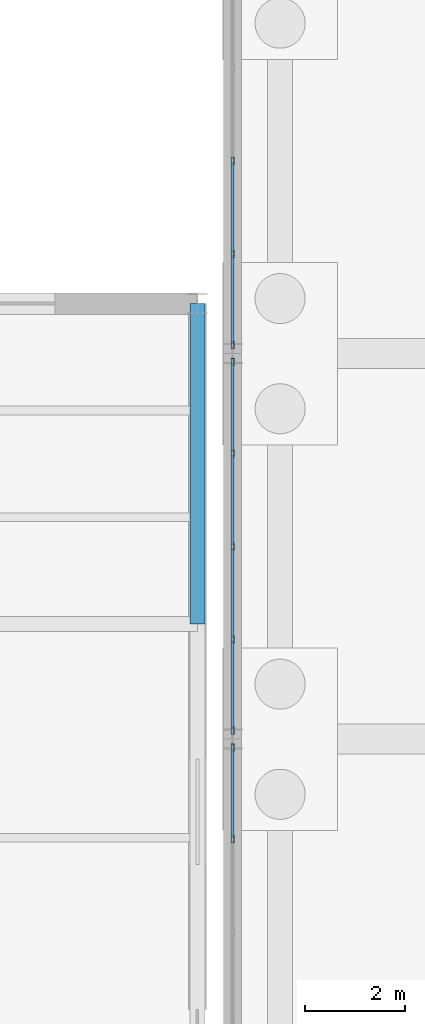
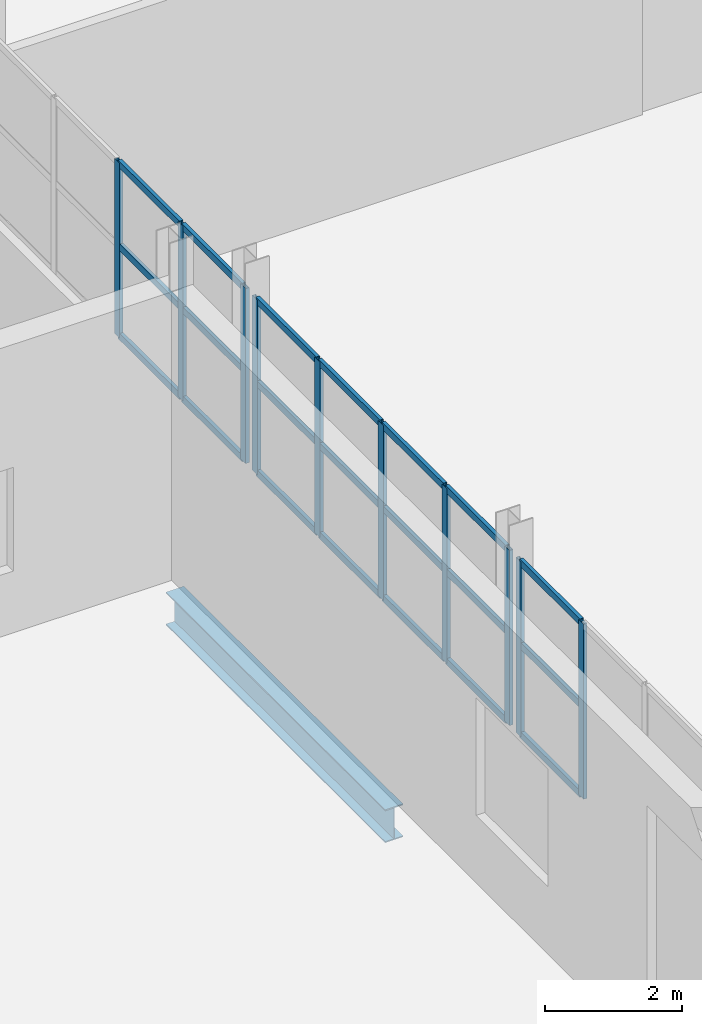
# One storey, part 80 of 139: 31 members, 1 beam, 3 elements without a shape of their own.
"""IFC4 building model written with IfcOpenShell, lengths in metres."""

from ifc_helpers import new_model, si_unit, direction, frame, origin, origin_2d, place, context, subcontext, project, spatial, hollow_rectangle, i_section, extrude, material, material_profile, profile_set, type_object, element, aggregate, save


model = new_model("IFC4")

# Units and contexts
model_context = context("Model", 3, precision=1e-05, world=origin(), true_north=direction((0.0, 1.0)))
body_context = subcontext(model_context, "Body", "Model", "MODEL_VIEW")
ifc_project = project(units=[si_unit("LENGTHUNIT", "METRE"), si_unit("AREAUNIT", "SQUARE_METRE"), si_unit("VOLUMEUNIT", "CUBIC_METRE"), si_unit("PLANEANGLEUNIT", "RADIAN"), si_unit("MASSUNIT", "GRAM", prefix="KILO")], contexts=[model_context])

# Site, building, storey
site_placement = place(None, origin())
site = spatial("IfcSite", under=ifc_project, at=site_placement, CompositionType="ELEMENT")
building_placement = place(site_placement, origin())
building = spatial("IfcBuilding", under=site, at=building_placement, Name="Kazenagashi Tramway Depot", CompositionType="ELEMENT")
storey_placement = place(building_placement, origin())
storey = spatial("IfcBuildingStorey", under=building, at=storey_placement, Name="L01", CompositionType="ELEMENT", Elevation=0.0)

# Curtain wall, members
ifc_material_1 = material(Name="Anodised Aluminium and Low-E Glazing", Category="aluminium")
curtain_wall_type = type_object("IfcCurtainWallType", Name="CW-30", PredefinedType="USERDEFINED", material=ifc_material_1)
curtain_wall_1_placement = place(storey_placement, origin())
curtain_wall_1 = element("IfcCurtainWall", 1, at=curtain_wall_1_placement, inside=storey, type_object=curtain_wall_type, Name="Industrial Glazed Screen CW-30 CW-0166", ObjectType="GLAZED SCREEN", PredefinedType="USERDEFINED")
ifc_material_2 = material(Name="Anodised Aluminium", Category="aluminium")
ifc_material_profile_1 = material_profile(ifc_material_2, hollow_rectangle(XDim=0.06, YDim=0.15, WallThickness=0.004, at=origin_2d()), Name="RHS-150x60x4")
ifc_profile_set_1 = profile_set([ifc_material_profile_1], Name="Anodised Aluminium")
member_type_1 = type_object("IfcMemberType", Name="ML-01", PredefinedType="MULLION", material=ifc_profile_set_1)
member_1_placement = place(storey_placement, frame((146.3, 44.205, 2.2), z_axis=(0.0, 0.0, 1.0), x_axis=(-1.0, 0.0, 0.0)))
member_1 = element("IfcMember", 2, at=member_1_placement, type_object=member_type_1, Name="CW-30 mullion 4", PredefinedType="MULLION", context=body_context, shape_type="SweptSolid", body=[
    extrude(hollow_rectangle(XDim=0.06, YDim=0.15, WallThickness=0.004, at=origin_2d()), origin(), (0.0, 0.0, 1.0), 3.12),
])
member_2_placement = place(storey_placement, frame((146.3, 46.03, 2.2), z_axis=(0.0, 0.0, 1.0), x_axis=(-1.0, 0.0, 0.0)))
member_2 = element("IfcMember", 3, at=member_2_placement, type_object=member_type_1, Name="CW-30 mullion 5", PredefinedType="MULLION", context=body_context, shape_type="SweptSolid", body=[
    extrude(hollow_rectangle(XDim=0.06, YDim=0.15, WallThickness=0.004, at=origin_2d()), origin(), (0.0, 0.0, 1.0), 3.12),
])

curtain_wall_2_placement = place(storey_placement, origin())
curtain_wall_2 = element("IfcCurtainWall", 4, at=curtain_wall_2_placement, inside=storey, type_object=curtain_wall_type, Name="Industrial Glazed Screen CW-30 CW-0168", ObjectType="GLAZED SCREEN", PredefinedType="USERDEFINED")
member_3_placement = place(storey_placement, frame((146.3, 46.37, 2.2), z_axis=(0.0, 0.0, 1.0), x_axis=(-1.0, 0.0, 0.0)))
member_3 = element("IfcMember", 5, at=member_3_placement, type_object=member_type_1, Name="CW-30 mullion 1", PredefinedType="MULLION", context=body_context, shape_type="SweptSolid", body=[
    extrude(hollow_rectangle(XDim=0.06, YDim=0.15, WallThickness=0.004, at=origin_2d()), origin(), (0.0, 0.0, 1.0), 3.12),
])
member_4_placement = place(storey_placement, frame((146.3, 48.195, 2.2), z_axis=(0.0, 0.0, 1.0), x_axis=(-1.0, 0.0, 0.0)))
member_4 = element("IfcMember", 6, at=member_4_placement, type_object=member_type_1, Name="CW-30 mullion 2", PredefinedType="MULLION", context=body_context, shape_type="SweptSolid", body=[
    extrude(hollow_rectangle(XDim=0.06, YDim=0.15, WallThickness=0.004, at=origin_2d()), origin(), (0.0, 0.0, 1.0), 3.12),
])
member_5_placement = place(storey_placement, frame((146.3, 50.05, 2.2), z_axis=(0.0, 0.0, 1.0), x_axis=(-1.0, 0.0, 0.0)))
member_5 = element("IfcMember", 7, at=member_5_placement, type_object=member_type_1, Name="CW-30 mullion 3", PredefinedType="MULLION", context=body_context, shape_type="SweptSolid", body=[
    extrude(hollow_rectangle(XDim=0.06, YDim=0.15, WallThickness=0.004, at=origin_2d()), origin(), (0.0, 0.0, 1.0), 3.12),
])
member_6_placement = place(storey_placement, frame((146.3, 51.905, 2.2), z_axis=(0.0, 0.0, 1.0), x_axis=(-1.0, 0.0, 0.0)))
member_6 = element("IfcMember", 8, at=member_6_placement, type_object=member_type_1, Name="CW-30 mullion 4", PredefinedType="MULLION", context=body_context, shape_type="SweptSolid", body=[
    extrude(hollow_rectangle(XDim=0.06, YDim=0.15, WallThickness=0.004, at=origin_2d()), origin(), (0.0, 0.0, 1.0), 3.12),
])
member_7_placement = place(storey_placement, frame((146.3, 53.73, 2.2), z_axis=(0.0, 0.0, 1.0), x_axis=(-1.0, 0.0, 0.0)))
member_7 = element("IfcMember", 9, at=member_7_placement, type_object=member_type_1, Name="CW-30 mullion 5", PredefinedType="MULLION", context=body_context, shape_type="SweptSolid", body=[
    extrude(hollow_rectangle(XDim=0.06, YDim=0.15, WallThickness=0.004, at=origin_2d()), origin(), (0.0, 0.0, 1.0), 3.12),
])

curtain_wall_3_placement = place(storey_placement, origin())
curtain_wall_3 = element("IfcCurtainWall", 10, at=curtain_wall_3_placement, inside=storey, type_object=curtain_wall_type, Name="Industrial Glazed Screen CW-30 CW-0170", ObjectType="GLAZED SCREEN", PredefinedType="USERDEFINED")
member_8_placement = place(storey_placement, frame((146.3, 54.07, 2.2), z_axis=(0.0, 0.0, 1.0), x_axis=(-1.0, 0.0, 0.0)))
member_8 = element("IfcMember", 11, at=member_8_placement, type_object=member_type_1, Name="CW-30 mullion 1", PredefinedType="MULLION", context=body_context, shape_type="SweptSolid", body=[
    extrude(hollow_rectangle(XDim=0.06, YDim=0.15, WallThickness=0.004, at=origin_2d()), origin(), (0.0, 0.0, 1.0), 3.12),
])
member_9_placement = place(storey_placement, frame((146.3, 55.895, 2.2), z_axis=(0.0, 0.0, 1.0), x_axis=(-1.0, 0.0, 0.0)))
member_9 = element("IfcMember", 12, at=member_9_placement, type_object=member_type_1, Name="CW-30 mullion 2", PredefinedType="MULLION", context=body_context, shape_type="SweptSolid", body=[
    extrude(hollow_rectangle(XDim=0.06, YDim=0.15, WallThickness=0.004, at=origin_2d()), origin(), (0.0, 0.0, 1.0), 3.12),
])
member_10_placement = place(storey_placement, frame((146.3, 57.75, 2.2), z_axis=(0.0, 0.0, 1.0), x_axis=(-1.0, 0.0, 0.0)))
member_10 = element("IfcMember", 13, at=member_10_placement, type_object=member_type_1, Name="CW-30 mullion 3", PredefinedType="MULLION", context=body_context, shape_type="SweptSolid", body=[
    extrude(hollow_rectangle(XDim=0.06, YDim=0.15, WallThickness=0.004, at=origin_2d()), origin(), (0.0, 0.0, 1.0), 3.12),
])

# Beam
ifc_material_3 = material(Name="Steel SN490B", Category="steel")
ifc_material_profile_2 = material_profile(ifc_material_3, i_section(OverallWidth=0.3, OverallDepth=0.588, WebThickness=0.012, FlangeThickness=0.02, at=origin_2d()), Name="H-588x300x12x20")
ifc_profile_set_2 = profile_set([ifc_material_profile_2], Name="Steel SN490B")
beam_type = type_object("IfcBeamType", Name="SP-01", PredefinedType="SPANDREL", material=ifc_profile_set_2)
beam_placement = place(storey_placement, frame((145.6, 48.5, -0.644), z_axis=(0.0, 1.0, 0.0), x_axis=(-1.0, 0.0, 0.0)))
element("IfcBeam", 14, at=beam_placement, inside=storey, type_object=beam_type, Name="Beam SP-01 BM-0945", PredefinedType="SPANDREL", context=body_context, shape_type="SweptSolid", body=[
    extrude(i_section(OverallWidth=0.3, OverallDepth=0.588, WebThickness=0.012, FlangeThickness=0.02, at=origin_2d()), origin(), (0.0, 0.0, 1.0), 6.4),
])

# Member
ifc_material_profile_3 = material_profile(ifc_material_2, hollow_rectangle(XDim=0.06, YDim=0.12, WallThickness=0.004, at=origin_2d()), Name="RHS-120x60x4")
ifc_profile_set_3 = profile_set([ifc_material_profile_3], Name="Anodised Aluminium")
member_type_2 = type_object("IfcMemberType", Name="TR-01", PredefinedType="USERDEFINED", material=ifc_profile_set_3)
member_11_placement = place(storey_placement, frame((146.3, 44.235, 2.23), z_axis=(0.0, 1.0, 0.0), x_axis=(-1.0, 0.0, 0.0)))
member_11 = element("IfcMember", 15, at=member_11_placement, type_object=member_type_2, Name="CW-30 transom 4.1", ObjectType="TRANSOM", PredefinedType="USERDEFINED", context=body_context, shape_type="SweptSolid", body=[
    extrude(hollow_rectangle(XDim=0.06, YDim=0.12, WallThickness=0.004, at=origin_2d()), origin(), (0.0, 0.0, 1.0), 1.765),
])

member_12_placement = place(storey_placement, frame((146.3, 44.235, 3.822), z_axis=(0.0, 1.0, 0.0), x_axis=(-1.0, 0.0, 0.0)))
member_12 = element("IfcMember", 16, at=member_12_placement, type_object=member_type_2, Name="CW-30 transom 4.2", ObjectType="TRANSOM", PredefinedType="USERDEFINED", context=body_context, shape_type="SweptSolid", body=[
    extrude(hollow_rectangle(XDim=0.06, YDim=0.12, WallThickness=0.004, at=origin_2d()), origin(), (0.0, 0.0, 1.0), 1.765),
])

member_13_placement = place(storey_placement, frame((146.3, 44.235, 5.29), z_axis=(0.0, 1.0, 0.0), x_axis=(-1.0, 0.0, 0.0)))
member_13 = element("IfcMember", 17, at=member_13_placement, type_object=member_type_2, Name="CW-30 transom 4.3", ObjectType="TRANSOM", PredefinedType="USERDEFINED", context=body_context, shape_type="SweptSolid", body=[
    extrude(hollow_rectangle(XDim=0.06, YDim=0.12, WallThickness=0.004, at=origin_2d()), origin(), (0.0, 0.0, 1.0), 1.765),
])

aggregate(curtain_wall_1, [member_1, member_2, member_11, member_12, member_13])

member_14_placement = place(storey_placement, frame((146.3, 46.4, 2.23), z_axis=(0.0, 1.0, 0.0), x_axis=(-1.0, 0.0, 0.0)))
member_14 = element("IfcMember", 18, at=member_14_placement, type_object=member_type_2, Name="CW-30 transom 1.1", ObjectType="TRANSOM", PredefinedType="USERDEFINED", context=body_context, shape_type="SweptSolid", body=[
    extrude(hollow_rectangle(XDim=0.06, YDim=0.12, WallThickness=0.004, at=origin_2d()), origin(), (0.0, 0.0, 1.0), 1.765),
])

member_15_placement = place(storey_placement, frame((146.3, 46.4, 3.822), z_axis=(0.0, 1.0, 0.0), x_axis=(-1.0, 0.0, 0.0)))
member_15 = element("IfcMember", 19, at=member_15_placement, type_object=member_type_2, Name="CW-30 transom 1.2", ObjectType="TRANSOM", PredefinedType="USERDEFINED", context=body_context, shape_type="SweptSolid", body=[
    extrude(hollow_rectangle(XDim=0.06, YDim=0.12, WallThickness=0.004, at=origin_2d()), origin(), (0.0, 0.0, 1.0), 1.765),
])

member_16_placement = place(storey_placement, frame((146.3, 46.4, 5.29), z_axis=(0.0, 1.0, 0.0), x_axis=(-1.0, 0.0, 0.0)))
member_16 = element("IfcMember", 20, at=member_16_placement, type_object=member_type_2, Name="CW-30 transom 1.3", ObjectType="TRANSOM", PredefinedType="USERDEFINED", context=body_context, shape_type="SweptSolid", body=[
    extrude(hollow_rectangle(XDim=0.06, YDim=0.12, WallThickness=0.004, at=origin_2d()), origin(), (0.0, 0.0, 1.0), 1.765),
])

member_17_placement = place(storey_placement, frame((146.3, 48.225, 2.23), z_axis=(0.0, 1.0, 0.0), x_axis=(-1.0, 0.0, 0.0)))
member_17 = element("IfcMember", 21, at=member_17_placement, type_object=member_type_2, Name="CW-30 transom 2.1", ObjectType="TRANSOM", PredefinedType="USERDEFINED", context=body_context, shape_type="SweptSolid", body=[
    extrude(hollow_rectangle(XDim=0.06, YDim=0.12, WallThickness=0.004, at=origin_2d()), origin(), (0.0, 0.0, 1.0), 1.795),
])

member_18_placement = place(storey_placement, frame((146.3, 48.225, 3.822), z_axis=(0.0, 1.0, 0.0), x_axis=(-1.0, 0.0, 0.0)))
member_18 = element("IfcMember", 22, at=member_18_placement, type_object=member_type_2, Name="CW-30 transom 2.2", ObjectType="TRANSOM", PredefinedType="USERDEFINED", context=body_context, shape_type="SweptSolid", body=[
    extrude(hollow_rectangle(XDim=0.06, YDim=0.12, WallThickness=0.004, at=origin_2d()), origin(), (0.0, 0.0, 1.0), 1.795),
])

member_19_placement = place(storey_placement, frame((146.3, 48.225, 5.29), z_axis=(0.0, 1.0, 0.0), x_axis=(-1.0, 0.0, 0.0)))
member_19 = element("IfcMember", 23, at=member_19_placement, type_object=member_type_2, Name="CW-30 transom 2.3", ObjectType="TRANSOM", PredefinedType="USERDEFINED", context=body_context, shape_type="SweptSolid", body=[
    extrude(hollow_rectangle(XDim=0.06, YDim=0.12, WallThickness=0.004, at=origin_2d()), origin(), (0.0, 0.0, 1.0), 1.795),
])

member_20_placement = place(storey_placement, frame((146.3, 50.08, 2.23), z_axis=(0.0, 1.0, 0.0), x_axis=(-1.0, 0.0, 0.0)))
member_20 = element("IfcMember", 24, at=member_20_placement, type_object=member_type_2, Name="CW-30 transom 3.1", ObjectType="TRANSOM", PredefinedType="USERDEFINED", context=body_context, shape_type="SweptSolid", body=[
    extrude(hollow_rectangle(XDim=0.06, YDim=0.12, WallThickness=0.004, at=origin_2d()), origin(), (0.0, 0.0, 1.0), 1.795),
])

member_21_placement = place(storey_placement, frame((146.3, 50.08, 3.822), z_axis=(0.0, 1.0, 0.0), x_axis=(-1.0, 0.0, 0.0)))
member_21 = element("IfcMember", 25, at=member_21_placement, type_object=member_type_2, Name="CW-30 transom 3.2", ObjectType="TRANSOM", PredefinedType="USERDEFINED", context=body_context, shape_type="SweptSolid", body=[
    extrude(hollow_rectangle(XDim=0.06, YDim=0.12, WallThickness=0.004, at=origin_2d()), origin(), (0.0, 0.0, 1.0), 1.795),
])

member_22_placement = place(storey_placement, frame((146.3, 50.08, 5.29), z_axis=(0.0, 1.0, 0.0), x_axis=(-1.0, 0.0, 0.0)))
member_22 = element("IfcMember", 26, at=member_22_placement, type_object=member_type_2, Name="CW-30 transom 3.3", ObjectType="TRANSOM", PredefinedType="USERDEFINED", context=body_context, shape_type="SweptSolid", body=[
    extrude(hollow_rectangle(XDim=0.06, YDim=0.12, WallThickness=0.004, at=origin_2d()), origin(), (0.0, 0.0, 1.0), 1.795),
])

member_23_placement = place(storey_placement, frame((146.3, 51.935, 2.23), z_axis=(0.0, 1.0, 0.0), x_axis=(-1.0, 0.0, 0.0)))
member_23 = element("IfcMember", 27, at=member_23_placement, type_object=member_type_2, Name="CW-30 transom 4.1", ObjectType="TRANSOM", PredefinedType="USERDEFINED", context=body_context, shape_type="SweptSolid", body=[
    extrude(hollow_rectangle(XDim=0.06, YDim=0.12, WallThickness=0.004, at=origin_2d()), origin(), (0.0, 0.0, 1.0), 1.765),
])

member_24_placement = place(storey_placement, frame((146.3, 51.935, 3.822), z_axis=(0.0, 1.0, 0.0), x_axis=(-1.0, 0.0, 0.0)))
member_24 = element("IfcMember", 28, at=member_24_placement, type_object=member_type_2, Name="CW-30 transom 4.2", ObjectType="TRANSOM", PredefinedType="USERDEFINED", context=body_context, shape_type="SweptSolid", body=[
    extrude(hollow_rectangle(XDim=0.06, YDim=0.12, WallThickness=0.004, at=origin_2d()), origin(), (0.0, 0.0, 1.0), 1.765),
])

member_25_placement = place(storey_placement, frame((146.3, 51.935, 5.29), z_axis=(0.0, 1.0, 0.0), x_axis=(-1.0, 0.0, 0.0)))
member_25 = element("IfcMember", 29, at=member_25_placement, type_object=member_type_2, Name="CW-30 transom 4.3", ObjectType="TRANSOM", PredefinedType="USERDEFINED", context=body_context, shape_type="SweptSolid", body=[
    extrude(hollow_rectangle(XDim=0.06, YDim=0.12, WallThickness=0.004, at=origin_2d()), origin(), (0.0, 0.0, 1.0), 1.765),
])

aggregate(curtain_wall_2, [member_3, member_4, member_5, member_6, member_7, member_14, member_15, member_16, member_17, member_18, member_19, member_20, member_21, member_22, member_23, member_24, member_25])

member_26_placement = place(storey_placement, frame((146.3, 54.1, 2.23), z_axis=(0.0, 1.0, 0.0), x_axis=(-1.0, 0.0, 0.0)))
member_26 = element("IfcMember", 30, at=member_26_placement, type_object=member_type_2, Name="CW-30 transom 1.1", ObjectType="TRANSOM", PredefinedType="USERDEFINED", context=body_context, shape_type="SweptSolid", body=[
    extrude(hollow_rectangle(XDim=0.06, YDim=0.12, WallThickness=0.004, at=origin_2d()), origin(), (0.0, 0.0, 1.0), 1.765),
])

member_27_placement = place(storey_placement, frame((146.3, 54.1, 3.822), z_axis=(0.0, 1.0, 0.0), x_axis=(-1.0, 0.0, 0.0)))
member_27 = element("IfcMember", 31, at=member_27_placement, type_object=member_type_2, Name="CW-30 transom 1.2", ObjectType="TRANSOM", PredefinedType="USERDEFINED", context=body_context, shape_type="SweptSolid", body=[
    extrude(hollow_rectangle(XDim=0.06, YDim=0.12, WallThickness=0.004, at=origin_2d()), origin(), (0.0, 0.0, 1.0), 1.765),
])

member_28_placement = place(storey_placement, frame((146.3, 54.1, 5.29), z_axis=(0.0, 1.0, 0.0), x_axis=(-1.0, 0.0, 0.0)))
member_28 = element("IfcMember", 32, at=member_28_placement, type_object=member_type_2, Name="CW-30 transom 1.3", ObjectType="TRANSOM", PredefinedType="USERDEFINED", context=body_context, shape_type="SweptSolid", body=[
    extrude(hollow_rectangle(XDim=0.06, YDim=0.12, WallThickness=0.004, at=origin_2d()), origin(), (0.0, 0.0, 1.0), 1.765),
])

member_29_placement = place(storey_placement, frame((146.3, 55.925, 2.23), z_axis=(0.0, 1.0, 0.0), x_axis=(-1.0, 0.0, 0.0)))
member_29 = element("IfcMember", 33, at=member_29_placement, type_object=member_type_2, Name="CW-30 transom 2.1", ObjectType="TRANSOM", PredefinedType="USERDEFINED", context=body_context, shape_type="SweptSolid", body=[
    extrude(hollow_rectangle(XDim=0.06, YDim=0.12, WallThickness=0.004, at=origin_2d()), origin(), (0.0, 0.0, 1.0), 1.795),
])

member_30_placement = place(storey_placement, frame((146.3, 55.925, 3.822), z_axis=(0.0, 1.0, 0.0), x_axis=(-1.0, 0.0, 0.0)))
member_30 = element("IfcMember", 34, at=member_30_placement, type_object=member_type_2, Name="CW-30 transom 2.2", ObjectType="TRANSOM", PredefinedType="USERDEFINED", context=body_context, shape_type="SweptSolid", body=[
    extrude(hollow_rectangle(XDim=0.06, YDim=0.12, WallThickness=0.004, at=origin_2d()), origin(), (0.0, 0.0, 1.0), 1.795),
])

member_31_placement = place(storey_placement, frame((146.3, 55.925, 5.29), z_axis=(0.0, 1.0, 0.0), x_axis=(-1.0, 0.0, 0.0)))
member_31 = element("IfcMember", 35, at=member_31_placement, type_object=member_type_2, Name="CW-30 transom 2.3", ObjectType="TRANSOM", PredefinedType="USERDEFINED", context=body_context, shape_type="SweptSolid", body=[
    extrude(hollow_rectangle(XDim=0.06, YDim=0.12, WallThickness=0.004, at=origin_2d()), origin(), (0.0, 0.0, 1.0), 1.795),
])

aggregate(curtain_wall_3, [member_8, member_9, member_10, member_26, member_27, member_28, member_29, member_30, member_31])

save(model, "model.ifc")
